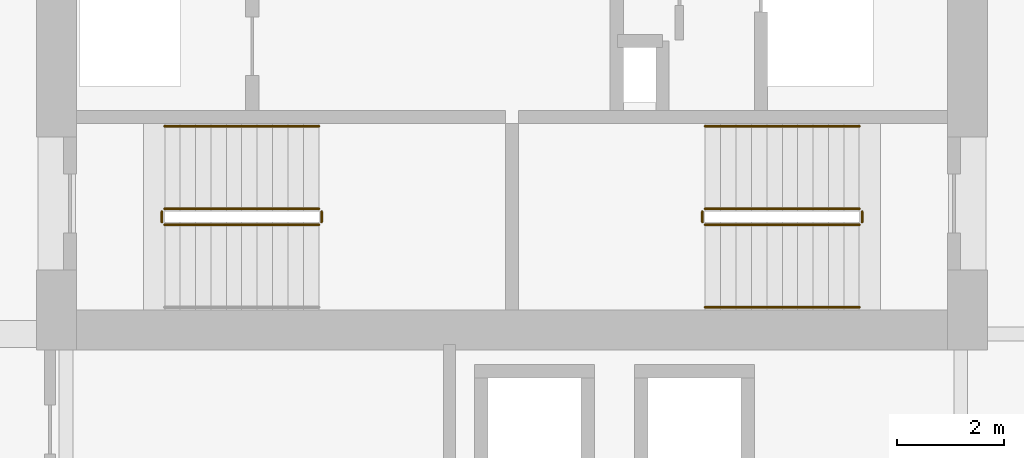
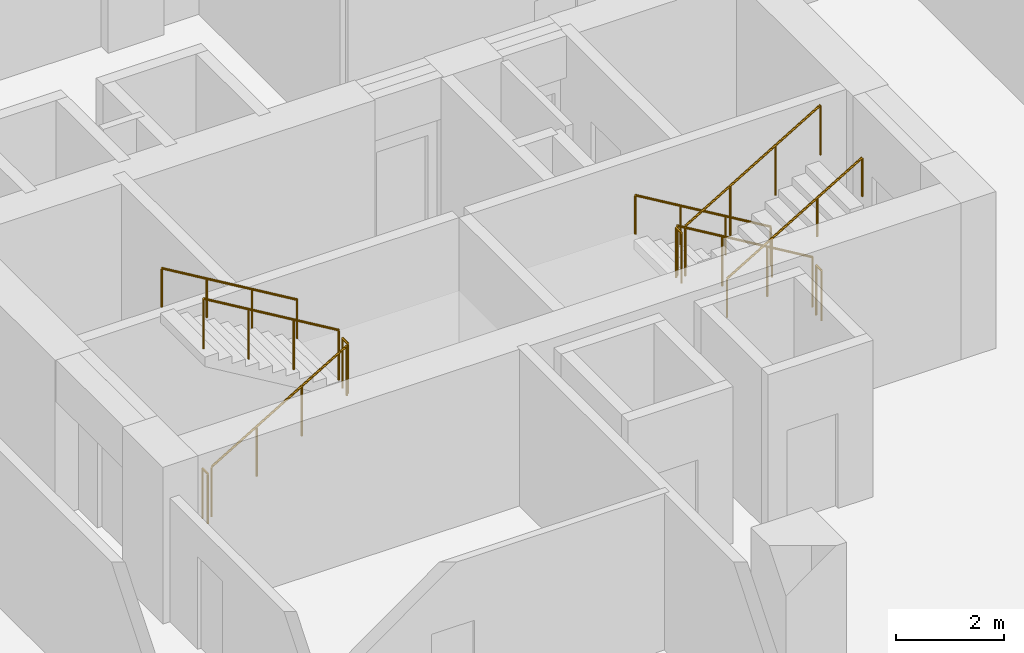
# One storey, part 13 of 15: 11 railings.
"""IFC4 building model written with IfcOpenShell, lengths in metres."""

from ifc_helpers import new_model, si_unit, direction, frame, origin, origin_2d, place, context, subcontext, project, spatial, circle, extrude, material, type_object, element, save


model = new_model("IFC4")

# Units and contexts
model_context = context("Model", 3, precision=1e-05, world=origin(), true_north=direction((0.0, 1.0)))
body_context = subcontext(model_context, "Body", "Model", "MODEL_VIEW")
ifc_project = project(units=[si_unit("LENGTHUNIT", "METRE"), si_unit("AREAUNIT", "SQUARE_METRE"), si_unit("VOLUMEUNIT", "CUBIC_METRE"), si_unit("PLANEANGLEUNIT", "RADIAN"), si_unit("MASSUNIT", "GRAM", prefix="KILO")], contexts=[model_context])

# Site, building, storey
site_placement = place(None, origin())
site = spatial("IfcSite", under=ifc_project, at=site_placement, CompositionType="ELEMENT")
building_placement = place(site_placement, origin())
building = spatial("IfcBuilding", under=site, at=building_placement, Name="Koriwani Terraces Tower", CompositionType="ELEMENT")
storey_placement = place(building_placement, frame((0.0, 0.0, 138.0)))
storey = spatial("IfcBuildingStorey", under=building, at=storey_placement, Name="L33", CompositionType="ELEMENT", Elevation=138.0)

# Railings
ifc_material = material(Name="Steel ASTM A572 Grade 50", Category="steel")
railing_type_1 = type_object("IfcRailingType", Name="GUARD_STAIR_WELL_1120", PredefinedType="GUARDRAIL", material=ifc_material)
railing_1_placement = place(storey_placement, frame((43.85009765625, 18.85009765625, 0.172607421875)))
element("IfcRailing", 1, at=railing_1_placement, inside=storey, type_object=railing_type_1, Name="L33 ST-E1 stair guard 1", PredefinedType="GUARDRAIL", context=body_context, shape_type="SweptSolid", body=[
    extrude(circle(Radius=0.02392578125, at=origin_2d()), frame((0.0, 0.0, 1.1259765625), z_axis=(0.859141464434, 0.0, 0.511738159696), x_axis=(0.0, 1.0, 0.0)), (0.0, 0.0, 1.0), 3.375244140625),
    extrude(circle(Radius=0.02099609375, at=origin_2d()), origin(), (0.0, 0.0, 1.0), 1.101806640625),
    extrude(circle(Radius=0.02099609375, at=origin_2d()), frame((0.966552734375, 0.0, 0.57568359375)), (0.0, 0.0, 1.0), 1.101806640625),
    extrude(circle(Radius=0.02099609375, at=origin_2d()), frame((1.933349609375, 0.0, 1.151611328125)), (0.0, 0.0, 1.0), 1.101806640625),
    extrude(circle(Radius=0.02099609375, at=origin_2d()), frame((2.89990234375, 0.0, 1.727294921875)), (0.0, 0.0, 1.0), 1.101806640625),
])
railing_2_placement = place(storey_placement, frame((46.800048828125, 18.89990234375, 1.89990234375)))
element("IfcRailing", 2, at=railing_2_placement, inside=storey, type_object=railing_type_1, Name="L33 ST-E1 stair guard 2", PredefinedType="GUARDRAIL", context=body_context, shape_type="SweptSolid", body=[
    extrude(circle(Radius=0.02392578125, at=origin_2d()), frame((0.0, 0.0, 1.1259765625), z_axis=(0.0, 1.0, 0.0), x_axis=(-1.0, 0.0, 0.0)), (0.0, 0.0, 1.0), 0.2001953125),
    extrude(circle(Radius=0.02099609375, at=origin_2d()), origin(), (0.0, 0.0, 1.0), 1.101806640625),
    extrude(circle(Radius=0.02099609375, at=origin_2d()), frame((0.0, 0.2001953125, 0.0)), (0.0, 0.0, 1.0), 1.101806640625),
])
railing_3_placement = place(storey_placement, frame((46.75, 19.14990234375, 2.07275390625)))
element("IfcRailing", 3, at=railing_3_placement, inside=storey, type_object=railing_type_1, Name="L33 ST-E1 stair guard 3", PredefinedType="GUARDRAIL", context=body_context, shape_type="SweptSolid", body=[
    extrude(circle(Radius=0.02392578125, at=origin_2d()), frame((0.0, 0.0, 1.1259765625), z_axis=(-0.859141464434, 0.0, 0.511738159696), x_axis=(0.0, -1.0, 0.0)), (0.0, 0.0, 1.0), 3.375244140625),
    extrude(circle(Radius=0.02099609375, at=origin_2d()), origin(), (0.0, 0.0, 1.0), 1.101806640625),
    extrude(circle(Radius=0.02099609375, at=origin_2d()), frame((-0.966552734375, 0.0, 0.57568359375)), (0.0, 0.0, 1.0), 1.101806640625),
    extrude(circle(Radius=0.02099609375, at=origin_2d()), frame((-1.933349609375, 0.0, 1.151611328125)), (0.0, 0.0, 1.0), 1.101806640625),
    extrude(circle(Radius=0.02099609375, at=origin_2d()), frame((-2.89990234375, 0.0, 1.727294921875)), (0.0, 0.0, 1.0), 1.101806640625),
])
railing_4_placement = place(storey_placement, frame((43.800048828125, 18.89990234375, 0.0)))
element("IfcRailing", 4, at=railing_4_placement, inside=storey, type_object=railing_type_1, Name="L33 ST-E1 stair guard 4", PredefinedType="GUARDRAIL", context=body_context, shape_type="SweptSolid", body=[
    extrude(circle(Radius=0.02392578125, at=origin_2d()), frame((0.0, 0.0, 1.1259765625), z_axis=(0.0, 1.0, 0.0), x_axis=(-1.0, 0.0, 0.0)), (0.0, 0.0, 1.0), 0.2001953125),
    extrude(circle(Radius=0.02099609375, at=origin_2d()), origin(), (0.0, 0.0, 1.0), 1.101806640625),
    extrude(circle(Radius=0.02099609375, at=origin_2d()), frame((0.0, 0.2001953125, 0.0)), (0.0, 0.0, 1.0), 1.101806640625),
])
railing_5_placement = place(storey_placement, frame((56.89990234375, 19.14990234375, 0.172607421875)))
element("IfcRailing", 5, at=railing_5_placement, inside=storey, type_object=railing_type_1, Name="L33 ST-E2 stair guard 1", PredefinedType="GUARDRAIL", context=body_context, shape_type="SweptSolid", body=[
    extrude(circle(Radius=0.02392578125, at=origin_2d()), frame((0.0, 0.0, 1.1259765625), z_axis=(-0.859141464434, 0.0, 0.511738159696), x_axis=(0.0, -1.0, 0.0)), (0.0, 0.0, 1.0), 3.375244140625),
    extrude(circle(Radius=0.02099609375, at=origin_2d()), origin(), (0.0, 0.0, 1.0), 1.101806640625),
    extrude(circle(Radius=0.02099609375, at=origin_2d()), frame((-0.966552734375, 0.0, 0.57568359375)), (0.0, 0.0, 1.0), 1.101806640625),
    extrude(circle(Radius=0.02099609375, at=origin_2d()), frame((-1.933349609375, 0.0, 1.151611328125)), (0.0, 0.0, 1.0), 1.101806640625),
    extrude(circle(Radius=0.02099609375, at=origin_2d()), frame((-2.89990234375, 0.0, 1.727294921875)), (0.0, 0.0, 1.0), 1.101806640625),
])
railing_6_placement = place(storey_placement, frame((53.949951171875, 19.10009765625, 1.89990234375)))
element("IfcRailing", 6, at=railing_6_placement, inside=storey, type_object=railing_type_1, Name="L33 ST-E2 stair guard 2", PredefinedType="GUARDRAIL", context=body_context, shape_type="SweptSolid", body=[
    extrude(circle(Radius=0.02392578125, at=origin_2d()), frame((0.0, 0.0, 1.1259765625), z_axis=(0.0, -1.0, 0.0), x_axis=(1.0, 0.0, 0.0)), (0.0, 0.0, 1.0), 0.2001953125),
    extrude(circle(Radius=0.02099609375, at=origin_2d()), origin(), (0.0, 0.0, 1.0), 1.101806640625),
    extrude(circle(Radius=0.02099609375, at=origin_2d()), frame((0.0, -0.2001953125, 0.0)), (0.0, 0.0, 1.0), 1.101806640625),
])
railing_7_placement = place(storey_placement, frame((54.0, 18.85009765625, 2.07275390625)))
element("IfcRailing", 7, at=railing_7_placement, inside=storey, type_object=railing_type_1, Name="L33 ST-E2 stair guard 3", PredefinedType="GUARDRAIL", context=body_context, shape_type="SweptSolid", body=[
    extrude(circle(Radius=0.02392578125, at=origin_2d()), frame((0.0, 0.0, 1.1259765625), z_axis=(0.859141464434, 0.0, 0.511738159696), x_axis=(0.0, 1.0, 0.0)), (0.0, 0.0, 1.0), 3.375244140625),
    extrude(circle(Radius=0.02099609375, at=origin_2d()), origin(), (0.0, 0.0, 1.0), 1.101806640625),
    extrude(circle(Radius=0.02099609375, at=origin_2d()), frame((0.966552734375, 0.0, 0.57568359375)), (0.0, 0.0, 1.0), 1.101806640625),
    extrude(circle(Radius=0.02099609375, at=origin_2d()), frame((1.933349609375, 0.0, 1.151611328125)), (0.0, 0.0, 1.0), 1.101806640625),
    extrude(circle(Radius=0.02099609375, at=origin_2d()), frame((2.89990234375, 0.0, 1.727294921875)), (0.0, 0.0, 1.0), 1.101806640625),
])
railing_8_placement = place(storey_placement, frame((56.949951171875, 19.10009765625, 0.0)))
element("IfcRailing", 8, at=railing_8_placement, inside=storey, type_object=railing_type_1, Name="L33 ST-E2 stair guard 4", PredefinedType="GUARDRAIL", context=body_context, shape_type="SweptSolid", body=[
    extrude(circle(Radius=0.02392578125, at=origin_2d()), frame((0.0, 0.0, 1.1259765625), z_axis=(0.0, -1.0, 0.0), x_axis=(1.0, 0.0, 0.0)), (0.0, 0.0, 1.0), 0.2001953125),
    extrude(circle(Radius=0.02099609375, at=origin_2d()), origin(), (0.0, 0.0, 1.0), 1.101806640625),
    extrude(circle(Radius=0.02099609375, at=origin_2d()), frame((0.0, -0.2001953125, 0.0)), (0.0, 0.0, 1.0), 1.101806640625),
])
railing_type_2 = type_object("IfcRailingType", Name="HANDRAIL_STAIR_920", PredefinedType="HANDRAIL", material=ifc_material)
for number, where, name in (
    (9, (46.75, 20.699951171875, 2.07275390625), "L33 ST-E1 stair handrail 2"),
    (10, (56.89990234375, 20.699951171875, 0.172607421875), "L33 ST-E2 stair handrail 1"),
):
    element("IfcRailing", number, at=place(storey_placement, frame(where)), inside=storey, type_object=railing_type_2, Name=name, PredefinedType="HANDRAIL", context=body_context, shape_type="SweptSolid", body=[
        extrude(circle(Radius=0.02392578125, at=origin_2d()), frame((0.0, 0.0, 0.8759765625), z_axis=(-0.859141464434, 0.0, 0.511738159696), x_axis=(0.0, -1.0, 0.0)), (0.0, 0.0, 1.0), 3.375244140625),
        extrude(circle(Radius=0.02099609375, at=origin_2d()), origin(), (0.0, 0.0, 1.0), 0.851806640625),
        extrude(circle(Radius=0.02099609375, at=origin_2d()), frame((-0.966552734375, 0.0, 0.57568359375)), (0.0, 0.0, 1.0), 0.851806640625),
        extrude(circle(Radius=0.02099609375, at=origin_2d()), frame((-1.933349609375, 0.0, 1.151611328125)), (0.0, 0.0, 1.0), 0.851806640625),
        extrude(circle(Radius=0.02099609375, at=origin_2d()), frame((-2.89990234375, 0.0, 1.727294921875)), (0.0, 0.0, 1.0), 0.851806640625),
    ])
railing_9_placement = place(storey_placement, frame((54.0, 17.300048828125, 2.07275390625)))
element("IfcRailing", 11, at=railing_9_placement, inside=storey, type_object=railing_type_2, Name="L33 ST-E2 stair handrail 2", PredefinedType="HANDRAIL", context=body_context, shape_type="SweptSolid", body=[
    extrude(circle(Radius=0.02392578125, at=origin_2d()), frame((0.0, 0.0, 0.8759765625), z_axis=(0.859141464434, 0.0, 0.511738159696), x_axis=(0.0, 1.0, 0.0)), (0.0, 0.0, 1.0), 3.375244140625),
    extrude(circle(Radius=0.02099609375, at=origin_2d()), origin(), (0.0, 0.0, 1.0), 0.851806640625),
    extrude(circle(Radius=0.02099609375, at=origin_2d()), frame((0.966552734375, 0.0, 0.57568359375)), (0.0, 0.0, 1.0), 0.851806640625),
    extrude(circle(Radius=0.02099609375, at=origin_2d()), frame((1.933349609375, 0.0, 1.151611328125)), (0.0, 0.0, 1.0), 0.851806640625),
    extrude(circle(Radius=0.02099609375, at=origin_2d()), frame((2.89990234375, 0.0, 1.727294921875)), (0.0, 0.0, 1.0), 0.851806640625),
])

save(model, "model.ifc")
